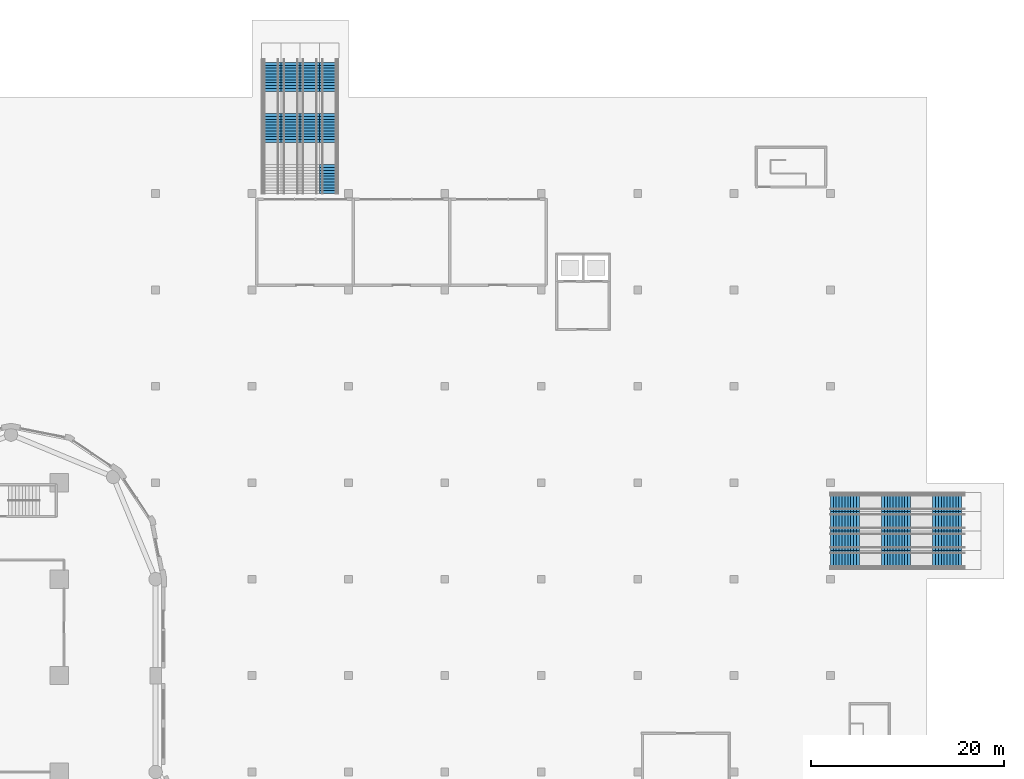
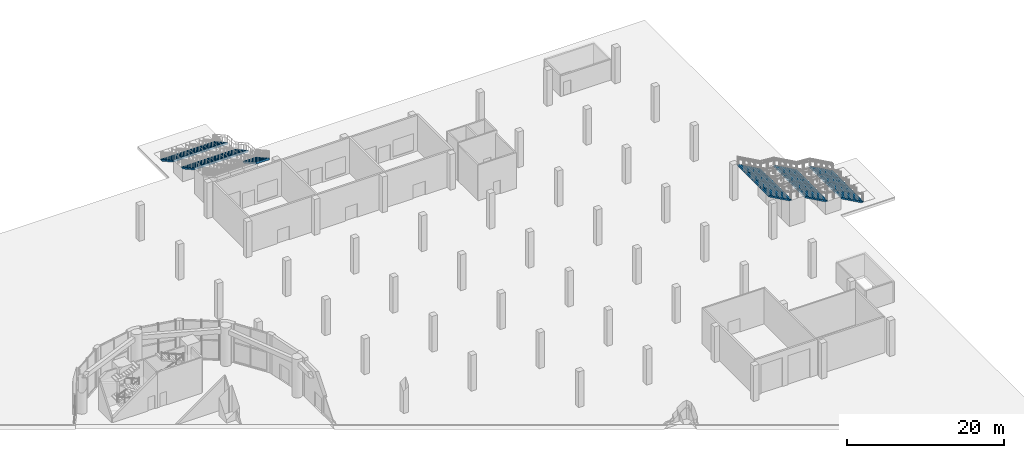
# One storey, part 15 of 21: 21 stair flights, 8 elements without a shape of their own.
"""IFC4 building model written with IfcOpenShell, lengths in metres."""

from ifc_helpers import new_model, si_unit, direction, frame, origin, place, context, subcontext, project, spatial, polyline, outline, extrude, material, layer, layer_set, type_object, element, aggregate, save


model = new_model("IFC4")

# Units and contexts
model_context = context("Model", 3, precision=1e-05, world=origin(), true_north=direction((0.0, 1.0)))
body_context = subcontext(model_context, "Body", "Model", "MODEL_VIEW")
ifc_project = project(units=[si_unit("LENGTHUNIT", "METRE"), si_unit("AREAUNIT", "SQUARE_METRE"), si_unit("VOLUMEUNIT", "CUBIC_METRE"), si_unit("PLANEANGLEUNIT", "RADIAN"), si_unit("MASSUNIT", "GRAM", prefix="KILO")], contexts=[model_context])

# Site, building, storey
site_placement = place(None, origin())
site = spatial("IfcSite", under=ifc_project, at=site_placement, CompositionType="ELEMENT")
building_placement = place(site_placement, origin())
building = spatial("IfcBuilding", under=site, at=building_placement, Name="Qaws Garden Tower", CompositionType="ELEMENT")
storey_placement = place(building_placement, origin())
storey = spatial("IfcBuildingStorey", under=building, at=storey_placement, Name="L00", CompositionType="ELEMENT", Elevation=0.0)

# Stair, stair flights
ifc_material_1 = material(Name="Concrete C40", Category="concrete")
stair_type = type_object("IfcStairType", Name="Garden stair 2000", PredefinedType="STRAIGHT_RUN_STAIR", material=ifc_material_1)
placement = place(storey_placement, origin())
stair_1 = element("IfcStair", 1, at=placement, inside=storey, type_object=stair_type, Name="Street stair n1", PredefinedType="STRAIGHT_RUN_STAIR")
ifc_material_2 = material(Name="Concrete C40", Category="concrete")
ifc_layer = layer(ifc_material_2, 0.14990234375)
ifc_layer_set = layer_set([ifc_layer], Name="Concrete C40")
stair_flight_type = type_object("IfcStairFlightType", Name="Stair flight concrete", PredefinedType="STRAIGHT", material=ifc_layer_set)
stair_flight_1_placement = place(storey_placement, frame((48.0, 103.300048828125, 4.0), z_axis=(0.0, 0.0, 1.0), x_axis=(0.0, -1.0, 0.0)))
stair_flight_1 = element("IfcStairFlight", 2, at=stair_flight_1_placement, type_object=stair_flight_type, Name="PST3 flight 1", NumberOfRisers=12, NumberOfTreads=11, PredefinedType="STRAIGHT", RiserHeight=0.166666667, TreadLength=0.3, context=body_context, shape_type="SweptSolid", body=[
    extrude(outline(polyline([(-0.0029296875, 0.0), (-0.0029296875, 0.166748046875), (0.0, 0.166748046875), (0.300048828125, 0.166748046875), (0.300048828125, 0.333251953125), (0.60009765625, 0.333251953125), (0.60009765625, 0.5), (0.89990234375, 0.5), (0.89990234375, 0.666748046875), (1.199951171875, 0.666748046875), (1.199951171875, 0.833251953125), (1.5, 0.833251953125), (1.5, 1.0), (1.800048828125, 1.0), (1.800048828125, 1.166748046875), (2.10009765625, 1.166748046875), (2.10009765625, 1.333251953125), (2.39990234375, 1.333251953125), (2.39990234375, 1.5), (2.699951171875, 1.5), (2.699951171875, 1.666748046875), (3.0, 1.666748046875), (3.0, 1.833251953125), (3.300048828125, 1.833251953125), (3.300048828125, 2.0), (3.302978515625, 2.0), (3.302978515625, 1.661865234375), (3.300048828125, 1.661865234375), (0.30859375, 0.0), (-0.0029296875, 0.0)])), frame((0.0, 1.0, 0.0), z_axis=(0.0, -1.0, 0.0), x_axis=(1.0, 0.0, 0.0)), (0.0, 0.0, 1.0), 2.0),
])
stair_flight_2_placement = place(storey_placement, frame((48.0, 108.60009765625, 2.0), z_axis=(0.0, 0.0, 1.0), x_axis=(0.0, -1.0, 0.0)))
stair_flight_2 = element("IfcStairFlight", 3, at=stair_flight_2_placement, type_object=stair_flight_type, Name="PST3 flight 2", NumberOfRisers=12, NumberOfTreads=11, PredefinedType="STRAIGHT", RiserHeight=0.166666667, TreadLength=0.3, context=body_context, shape_type="SweptSolid", body=[
    extrude(outline(polyline([(-0.0029296875, 0.0), (-0.0029296875, 0.166748046875), (0.0, 0.166748046875), (0.300048828125, 0.166748046875), (0.300048828125, 0.333251953125), (0.60009765625, 0.333251953125), (0.60009765625, 0.5), (0.89990234375, 0.5), (0.89990234375, 0.666748046875), (1.199951171875, 0.666748046875), (1.199951171875, 0.833251953125), (1.5, 0.833251953125), (1.5, 1.0), (1.800048828125, 1.0), (1.800048828125, 1.166748046875), (2.10009765625, 1.166748046875), (2.10009765625, 1.333251953125), (2.39990234375, 1.333251953125), (2.39990234375, 1.5), (2.699951171875, 1.5), (2.699951171875, 1.666748046875), (3.0, 1.666748046875), (3.0, 1.833251953125), (3.300048828125, 1.833251953125), (3.300048828125, 2.0), (3.302978515625, 2.0), (3.302978515625, 1.661865234375), (3.300048828125, 1.661865234375), (0.30859375, 0.0), (-0.0029296875, 0.0)])), frame((0.0, 1.0, 0.0), z_axis=(0.0, -1.0, 0.0), x_axis=(1.0, 0.0, 0.0)), (0.0, 0.0, 1.0), 2.0),
])
stair_flight_3_placement = place(storey_placement, frame((48.0, 113.89990234375, 0.0), z_axis=(0.0, 0.0, 1.0), x_axis=(0.0, -1.0, 0.0)))
stair_flight_3 = element("IfcStairFlight", 4, at=stair_flight_3_placement, type_object=stair_flight_type, Name="PST3 flight 3", NumberOfRisers=12, NumberOfTreads=11, PredefinedType="STRAIGHT", RiserHeight=0.166666667, TreadLength=0.3, context=body_context, shape_type="SweptSolid", body=[
    extrude(outline(polyline([(-0.0029296875, 0.0), (-0.0029296875, 0.166748046875), (0.0, 0.166748046875), (0.300048828125, 0.166748046875), (0.300048828125, 0.333251953125), (0.60009765625, 0.333251953125), (0.60009765625, 0.5), (0.89990234375, 0.5), (0.89990234375, 0.666748046875), (1.199951171875, 0.666748046875), (1.199951171875, 0.833251953125), (1.5, 0.833251953125), (1.5, 1.0), (1.800048828125, 1.0), (1.800048828125, 1.166748046875), (2.10009765625, 1.166748046875), (2.10009765625, 1.333251953125), (2.39990234375, 1.333251953125), (2.39990234375, 1.5), (2.699951171875, 1.5), (2.699951171875, 1.666748046875), (3.0, 1.666748046875), (3.0, 1.833251953125), (3.300048828125, 1.833251953125), (3.300048828125, 2.0), (3.302978515625, 2.0), (3.302978515625, 1.661865234375), (3.300048828125, 1.661865234375), (0.30859375, 0.0), (-0.0029296875, 0.0)])), frame((0.0, 1.0, 0.0), z_axis=(0.0, -1.0, 0.0), x_axis=(1.0, 0.0, 0.0)), (0.0, 0.0, 1.0), 2.0),
])
aggregate(stair_1, [stair_flight_1, stair_flight_2, stair_flight_3])

stair_2 = element("IfcStair", 5, at=placement, inside=storey, type_object=stair_type, Name="Street stair n2", PredefinedType="STRAIGHT_RUN_STAIR")
stair_flight_4_placement = place(storey_placement, frame((46.0, 108.60009765625, 2.0), z_axis=(0.0, 0.0, 1.0), x_axis=(0.0, -1.0, 0.0)))
stair_flight_4 = element("IfcStairFlight", 6, at=stair_flight_4_placement, type_object=stair_flight_type, Name="PST3 flight 2", NumberOfRisers=12, NumberOfTreads=11, PredefinedType="STRAIGHT", RiserHeight=0.166666667, TreadLength=0.3, context=body_context, shape_type="SweptSolid", body=[
    extrude(outline(polyline([(-0.0029296875, 0.0), (-0.0029296875, 0.166748046875), (0.0, 0.166748046875), (0.300048828125, 0.166748046875), (0.300048828125, 0.333251953125), (0.60009765625, 0.333251953125), (0.60009765625, 0.5), (0.89990234375, 0.5), (0.89990234375, 0.666748046875), (1.199951171875, 0.666748046875), (1.199951171875, 0.833251953125), (1.5, 0.833251953125), (1.5, 1.0), (1.800048828125, 1.0), (1.800048828125, 1.166748046875), (2.10009765625, 1.166748046875), (2.10009765625, 1.333251953125), (2.39990234375, 1.333251953125), (2.39990234375, 1.5), (2.699951171875, 1.5), (2.699951171875, 1.666748046875), (3.0, 1.666748046875), (3.0, 1.833251953125), (3.300048828125, 1.833251953125), (3.300048828125, 2.0), (3.302978515625, 2.0), (3.302978515625, 1.661865234375), (3.300048828125, 1.661865234375), (0.30859375, 0.0), (-0.0029296875, 0.0)])), frame((0.0, 1.0, 0.0), z_axis=(0.0, -1.0, 0.0), x_axis=(1.0, 0.0, 0.0)), (0.0, 0.0, 1.0), 2.0),
])
stair_flight_5_placement = place(storey_placement, frame((46.0, 113.89990234375, 0.0), z_axis=(0.0, 0.0, 1.0), x_axis=(0.0, -1.0, 0.0)))
stair_flight_5 = element("IfcStairFlight", 7, at=stair_flight_5_placement, type_object=stair_flight_type, Name="PST3 flight 3", NumberOfRisers=12, NumberOfTreads=11, PredefinedType="STRAIGHT", RiserHeight=0.166666667, TreadLength=0.3, context=body_context, shape_type="SweptSolid", body=[
    extrude(outline(polyline([(-0.0029296875, 0.0), (-0.0029296875, 0.166748046875), (0.0, 0.166748046875), (0.300048828125, 0.166748046875), (0.300048828125, 0.333251953125), (0.60009765625, 0.333251953125), (0.60009765625, 0.5), (0.89990234375, 0.5), (0.89990234375, 0.666748046875), (1.199951171875, 0.666748046875), (1.199951171875, 0.833251953125), (1.5, 0.833251953125), (1.5, 1.0), (1.800048828125, 1.0), (1.800048828125, 1.166748046875), (2.10009765625, 1.166748046875), (2.10009765625, 1.333251953125), (2.39990234375, 1.333251953125), (2.39990234375, 1.5), (2.699951171875, 1.5), (2.699951171875, 1.666748046875), (3.0, 1.666748046875), (3.0, 1.833251953125), (3.300048828125, 1.833251953125), (3.300048828125, 2.0), (3.302978515625, 2.0), (3.302978515625, 1.661865234375), (3.300048828125, 1.661865234375), (0.30859375, 0.0), (-0.0029296875, 0.0)])), frame((0.0, 1.0, 0.0), z_axis=(0.0, -1.0, 0.0), x_axis=(1.0, 0.0, 0.0)), (0.0, 0.0, 1.0), 2.0),
])
aggregate(stair_2, [stair_flight_4, stair_flight_5])

stair_3 = element("IfcStair", 8, at=placement, inside=storey, type_object=stair_type, Name="Street stair n3", PredefinedType="STRAIGHT_RUN_STAIR")
stair_flight_6_placement = place(storey_placement, frame((44.0, 108.60009765625, 2.0), z_axis=(0.0, 0.0, 1.0), x_axis=(0.0, -1.0, 0.0)))
stair_flight_6 = element("IfcStairFlight", 9, at=stair_flight_6_placement, type_object=stair_flight_type, Name="PST3 flight 2", NumberOfRisers=12, NumberOfTreads=11, PredefinedType="STRAIGHT", RiserHeight=0.166666667, TreadLength=0.3, context=body_context, shape_type="SweptSolid", body=[
    extrude(outline(polyline([(-0.0029296875, 0.0), (-0.0029296875, 0.166748046875), (0.0, 0.166748046875), (0.300048828125, 0.166748046875), (0.300048828125, 0.333251953125), (0.60009765625, 0.333251953125), (0.60009765625, 0.5), (0.89990234375, 0.5), (0.89990234375, 0.666748046875), (1.199951171875, 0.666748046875), (1.199951171875, 0.833251953125), (1.5, 0.833251953125), (1.5, 1.0), (1.800048828125, 1.0), (1.800048828125, 1.166748046875), (2.10009765625, 1.166748046875), (2.10009765625, 1.333251953125), (2.39990234375, 1.333251953125), (2.39990234375, 1.5), (2.699951171875, 1.5), (2.699951171875, 1.666748046875), (3.0, 1.666748046875), (3.0, 1.833251953125), (3.300048828125, 1.833251953125), (3.300048828125, 2.0), (3.302978515625, 2.0), (3.302978515625, 1.661865234375), (3.300048828125, 1.661865234375), (0.30859375, 0.0), (-0.0029296875, 0.0)])), frame((0.0, 1.0, 0.0), z_axis=(0.0, -1.0, 0.0), x_axis=(1.0, 0.0, 0.0)), (0.0, 0.0, 1.0), 2.0),
])
stair_flight_7_placement = place(storey_placement, frame((44.0, 113.89990234375, 0.0), z_axis=(0.0, 0.0, 1.0), x_axis=(0.0, -1.0, 0.0)))
stair_flight_7 = element("IfcStairFlight", 10, at=stair_flight_7_placement, type_object=stair_flight_type, Name="PST3 flight 3", NumberOfRisers=12, NumberOfTreads=11, PredefinedType="STRAIGHT", RiserHeight=0.166666667, TreadLength=0.3, context=body_context, shape_type="SweptSolid", body=[
    extrude(outline(polyline([(-0.0029296875, 0.0), (-0.0029296875, 0.166748046875), (0.0, 0.166748046875), (0.300048828125, 0.166748046875), (0.300048828125, 0.333251953125), (0.60009765625, 0.333251953125), (0.60009765625, 0.5), (0.89990234375, 0.5), (0.89990234375, 0.666748046875), (1.199951171875, 0.666748046875), (1.199951171875, 0.833251953125), (1.5, 0.833251953125), (1.5, 1.0), (1.800048828125, 1.0), (1.800048828125, 1.166748046875), (2.10009765625, 1.166748046875), (2.10009765625, 1.333251953125), (2.39990234375, 1.333251953125), (2.39990234375, 1.5), (2.699951171875, 1.5), (2.699951171875, 1.666748046875), (3.0, 1.666748046875), (3.0, 1.833251953125), (3.300048828125, 1.833251953125), (3.300048828125, 2.0), (3.302978515625, 2.0), (3.302978515625, 1.661865234375), (3.300048828125, 1.661865234375), (0.30859375, 0.0), (-0.0029296875, 0.0)])), frame((0.0, 1.0, 0.0), z_axis=(0.0, -1.0, 0.0), x_axis=(1.0, 0.0, 0.0)), (0.0, 0.0, 1.0), 2.0),
])
aggregate(stair_3, [stair_flight_6, stair_flight_7])

stair_4 = element("IfcStair", 11, at=placement, inside=storey, type_object=stair_type, Name="Street stair n4", PredefinedType="STRAIGHT_RUN_STAIR")
stair_flight_8_placement = place(storey_placement, frame((42.0, 108.60009765625, 2.0), z_axis=(0.0, 0.0, 1.0), x_axis=(0.0, -1.0, 0.0)))
stair_flight_8 = element("IfcStairFlight", 12, at=stair_flight_8_placement, type_object=stair_flight_type, Name="PST3 flight 2", NumberOfRisers=12, NumberOfTreads=11, PredefinedType="STRAIGHT", RiserHeight=0.166666667, TreadLength=0.3, context=body_context, shape_type="SweptSolid", body=[
    extrude(outline(polyline([(-0.0029296875, 0.0), (-0.0029296875, 0.166748046875), (0.0, 0.166748046875), (0.300048828125, 0.166748046875), (0.300048828125, 0.333251953125), (0.60009765625, 0.333251953125), (0.60009765625, 0.5), (0.89990234375, 0.5), (0.89990234375, 0.666748046875), (1.199951171875, 0.666748046875), (1.199951171875, 0.833251953125), (1.5, 0.833251953125), (1.5, 1.0), (1.800048828125, 1.0), (1.800048828125, 1.166748046875), (2.10009765625, 1.166748046875), (2.10009765625, 1.333251953125), (2.39990234375, 1.333251953125), (2.39990234375, 1.5), (2.699951171875, 1.5), (2.699951171875, 1.666748046875), (3.0, 1.666748046875), (3.0, 1.833251953125), (3.300048828125, 1.833251953125), (3.300048828125, 2.0), (3.302978515625, 2.0), (3.302978515625, 1.661865234375), (3.300048828125, 1.661865234375), (0.30859375, 0.0), (-0.0029296875, 0.0)])), frame((0.0, 1.0, 0.0), z_axis=(0.0, -1.0, 0.0), x_axis=(1.0, 0.0, 0.0)), (0.0, 0.0, 1.0), 2.0),
])
stair_flight_9_placement = place(storey_placement, frame((42.0, 113.89990234375, 0.0), z_axis=(0.0, 0.0, 1.0), x_axis=(0.0, -1.0, 0.0)))
stair_flight_9 = element("IfcStairFlight", 13, at=stair_flight_9_placement, type_object=stair_flight_type, Name="PST3 flight 3", NumberOfRisers=12, NumberOfTreads=11, PredefinedType="STRAIGHT", RiserHeight=0.166666667, TreadLength=0.3, context=body_context, shape_type="SweptSolid", body=[
    extrude(outline(polyline([(-0.0029296875, 0.0), (-0.0029296875, 0.166748046875), (0.0, 0.166748046875), (0.300048828125, 0.166748046875), (0.300048828125, 0.333251953125), (0.60009765625, 0.333251953125), (0.60009765625, 0.5), (0.89990234375, 0.5), (0.89990234375, 0.666748046875), (1.199951171875, 0.666748046875), (1.199951171875, 0.833251953125), (1.5, 0.833251953125), (1.5, 1.0), (1.800048828125, 1.0), (1.800048828125, 1.166748046875), (2.10009765625, 1.166748046875), (2.10009765625, 1.333251953125), (2.39990234375, 1.333251953125), (2.39990234375, 1.5), (2.699951171875, 1.5), (2.699951171875, 1.666748046875), (3.0, 1.666748046875), (3.0, 1.833251953125), (3.300048828125, 1.833251953125), (3.300048828125, 2.0), (3.302978515625, 2.0), (3.302978515625, 1.661865234375), (3.300048828125, 1.661865234375), (0.30859375, 0.0), (-0.0029296875, 0.0)])), frame((0.0, 1.0, 0.0), z_axis=(0.0, -1.0, 0.0), x_axis=(1.0, 0.0, 0.0)), (0.0, 0.0, 1.0), 2.0),
])
aggregate(stair_4, [stair_flight_8, stair_flight_9])

stair_5 = element("IfcStair", 14, at=placement, inside=storey, type_object=stair_type, Name="Street stair e1", PredefinedType="STRAIGHT_RUN_STAIR")
stair_flight_10_placement = place(storey_placement, frame((103.300048828125, 62.0, 4.0), z_axis=(0.0, 0.0, 1.0), x_axis=(-1.0, 0.0, 0.0)))
stair_flight_10 = element("IfcStairFlight", 15, at=stair_flight_10_placement, type_object=stair_flight_type, Name="PST3 flight 1", NumberOfRisers=12, NumberOfTreads=11, PredefinedType="STRAIGHT", RiserHeight=0.166666667, TreadLength=0.3, context=body_context, shape_type="SweptSolid", body=[
    extrude(outline(polyline([(-0.0029296875, 0.0), (-0.0029296875, 0.166748046875), (0.0, 0.166748046875), (0.300048828125, 0.166748046875), (0.300048828125, 0.333251953125), (0.60009765625, 0.333251953125), (0.60009765625, 0.5), (0.89990234375, 0.5), (0.89990234375, 0.666748046875), (1.199951171875, 0.666748046875), (1.199951171875, 0.833251953125), (1.5, 0.833251953125), (1.5, 1.0), (1.800048828125, 1.0), (1.800048828125, 1.166748046875), (2.10009765625, 1.166748046875), (2.10009765625, 1.333251953125), (2.39990234375, 1.333251953125), (2.39990234375, 1.5), (2.699951171875, 1.5), (2.699951171875, 1.666748046875), (3.0, 1.666748046875), (3.0, 1.833251953125), (3.300048828125, 1.833251953125), (3.300048828125, 2.0), (3.302978515625, 2.0), (3.302978515625, 1.661865234375), (3.300048828125, 1.661865234375), (0.30859375, 0.0), (-0.0029296875, 0.0)])), frame((0.0, 1.0, 0.0), z_axis=(0.0, -1.0, 0.0), x_axis=(1.0, 0.0, 0.0)), (0.0, 0.0, 1.0), 2.0),
])
stair_flight_11_placement = place(storey_placement, frame((108.60009765625, 62.0, 2.0), z_axis=(0.0, 0.0, 1.0), x_axis=(-1.0, 0.0, 0.0)))
stair_flight_11 = element("IfcStairFlight", 16, at=stair_flight_11_placement, type_object=stair_flight_type, Name="PST3 flight 2", NumberOfRisers=12, NumberOfTreads=11, PredefinedType="STRAIGHT", RiserHeight=0.166666667, TreadLength=0.3, context=body_context, shape_type="SweptSolid", body=[
    extrude(outline(polyline([(-0.0029296875, 0.0), (-0.0029296875, 0.166748046875), (0.0, 0.166748046875), (0.300048828125, 0.166748046875), (0.300048828125, 0.333251953125), (0.60009765625, 0.333251953125), (0.60009765625, 0.5), (0.89990234375, 0.5), (0.89990234375, 0.666748046875), (1.199951171875, 0.666748046875), (1.199951171875, 0.833251953125), (1.5, 0.833251953125), (1.5, 1.0), (1.800048828125, 1.0), (1.800048828125, 1.166748046875), (2.10009765625, 1.166748046875), (2.10009765625, 1.333251953125), (2.39990234375, 1.333251953125), (2.39990234375, 1.5), (2.699951171875, 1.5), (2.699951171875, 1.666748046875), (3.0, 1.666748046875), (3.0, 1.833251953125), (3.300048828125, 1.833251953125), (3.300048828125, 2.0), (3.302978515625, 2.0), (3.302978515625, 1.661865234375), (3.300048828125, 1.661865234375), (0.30859375, 0.0), (-0.0029296875, 0.0)])), frame((0.0, 1.0, 0.0), z_axis=(0.0, -1.0, 0.0), x_axis=(1.0, 0.0, 0.0)), (0.0, 0.0, 1.0), 2.0),
])
stair_flight_12_placement = place(storey_placement, frame((113.89990234375, 62.0, 0.0), z_axis=(0.0, 0.0, 1.0), x_axis=(-1.0, 0.0, 0.0)))
stair_flight_12 = element("IfcStairFlight", 17, at=stair_flight_12_placement, type_object=stair_flight_type, Name="PST3 flight 3", NumberOfRisers=12, NumberOfTreads=11, PredefinedType="STRAIGHT", RiserHeight=0.166666667, TreadLength=0.3, context=body_context, shape_type="SweptSolid", body=[
    extrude(outline(polyline([(-0.0029296875, 0.0), (-0.0029296875, 0.166748046875), (0.0, 0.166748046875), (0.300048828125, 0.166748046875), (0.300048828125, 0.333251953125), (0.60009765625, 0.333251953125), (0.60009765625, 0.5), (0.89990234375, 0.5), (0.89990234375, 0.666748046875), (1.199951171875, 0.666748046875), (1.199951171875, 0.833251953125), (1.5, 0.833251953125), (1.5, 1.0), (1.800048828125, 1.0), (1.800048828125, 1.166748046875), (2.10009765625, 1.166748046875), (2.10009765625, 1.333251953125), (2.39990234375, 1.333251953125), (2.39990234375, 1.5), (2.699951171875, 1.5), (2.699951171875, 1.666748046875), (3.0, 1.666748046875), (3.0, 1.833251953125), (3.300048828125, 1.833251953125), (3.300048828125, 2.0), (3.302978515625, 2.0), (3.302978515625, 1.661865234375), (3.300048828125, 1.661865234375), (0.30859375, 0.0), (-0.0029296875, 0.0)])), frame((0.0, 1.0, 0.0), z_axis=(0.0, -1.0, 0.0), x_axis=(1.0, 0.0, 0.0)), (0.0, 0.0, 1.0), 2.0),
])
aggregate(stair_5, [stair_flight_10, stair_flight_11, stair_flight_12])

stair_6 = element("IfcStair", 18, at=placement, inside=storey, type_object=stair_type, Name="Street stair e2", PredefinedType="STRAIGHT_RUN_STAIR")
stair_flight_13_placement = place(storey_placement, frame((103.300048828125, 64.0, 4.0), z_axis=(0.0, 0.0, 1.0), x_axis=(-1.0, 0.0, 0.0)))
stair_flight_13 = element("IfcStairFlight", 19, at=stair_flight_13_placement, type_object=stair_flight_type, Name="PST3 flight 1", NumberOfRisers=12, NumberOfTreads=11, PredefinedType="STRAIGHT", RiserHeight=0.166666667, TreadLength=0.3, context=body_context, shape_type="SweptSolid", body=[
    extrude(outline(polyline([(-0.0029296875, 0.0), (-0.0029296875, 0.166748046875), (0.0, 0.166748046875), (0.300048828125, 0.166748046875), (0.300048828125, 0.333251953125), (0.60009765625, 0.333251953125), (0.60009765625, 0.5), (0.89990234375, 0.5), (0.89990234375, 0.666748046875), (1.199951171875, 0.666748046875), (1.199951171875, 0.833251953125), (1.5, 0.833251953125), (1.5, 1.0), (1.800048828125, 1.0), (1.800048828125, 1.166748046875), (2.10009765625, 1.166748046875), (2.10009765625, 1.333251953125), (2.39990234375, 1.333251953125), (2.39990234375, 1.5), (2.699951171875, 1.5), (2.699951171875, 1.666748046875), (3.0, 1.666748046875), (3.0, 1.833251953125), (3.300048828125, 1.833251953125), (3.300048828125, 2.0), (3.302978515625, 2.0), (3.302978515625, 1.661865234375), (3.300048828125, 1.661865234375), (0.30859375, 0.0), (-0.0029296875, 0.0)])), frame((0.0, 1.0, 0.0), z_axis=(0.0, -1.0, 0.0), x_axis=(1.0, 0.0, 0.0)), (0.0, 0.0, 1.0), 2.0),
])
stair_flight_14_placement = place(storey_placement, frame((108.60009765625, 64.0, 2.0), z_axis=(0.0, 0.0, 1.0), x_axis=(-1.0, 0.0, 0.0)))
stair_flight_14 = element("IfcStairFlight", 20, at=stair_flight_14_placement, type_object=stair_flight_type, Name="PST3 flight 2", NumberOfRisers=12, NumberOfTreads=11, PredefinedType="STRAIGHT", RiserHeight=0.166666667, TreadLength=0.3, context=body_context, shape_type="SweptSolid", body=[
    extrude(outline(polyline([(-0.0029296875, 0.0), (-0.0029296875, 0.166748046875), (0.0, 0.166748046875), (0.300048828125, 0.166748046875), (0.300048828125, 0.333251953125), (0.60009765625, 0.333251953125), (0.60009765625, 0.5), (0.89990234375, 0.5), (0.89990234375, 0.666748046875), (1.199951171875, 0.666748046875), (1.199951171875, 0.833251953125), (1.5, 0.833251953125), (1.5, 1.0), (1.800048828125, 1.0), (1.800048828125, 1.166748046875), (2.10009765625, 1.166748046875), (2.10009765625, 1.333251953125), (2.39990234375, 1.333251953125), (2.39990234375, 1.5), (2.699951171875, 1.5), (2.699951171875, 1.666748046875), (3.0, 1.666748046875), (3.0, 1.833251953125), (3.300048828125, 1.833251953125), (3.300048828125, 2.0), (3.302978515625, 2.0), (3.302978515625, 1.661865234375), (3.300048828125, 1.661865234375), (0.30859375, 0.0), (-0.0029296875, 0.0)])), frame((0.0, 1.0, 0.0), z_axis=(0.0, -1.0, 0.0), x_axis=(1.0, 0.0, 0.0)), (0.0, 0.0, 1.0), 2.0),
])
stair_flight_15_placement = place(storey_placement, frame((113.89990234375, 64.0, 0.0), z_axis=(0.0, 0.0, 1.0), x_axis=(-1.0, 0.0, 0.0)))
stair_flight_15 = element("IfcStairFlight", 21, at=stair_flight_15_placement, type_object=stair_flight_type, Name="PST3 flight 3", NumberOfRisers=12, NumberOfTreads=11, PredefinedType="STRAIGHT", RiserHeight=0.166666667, TreadLength=0.3, context=body_context, shape_type="SweptSolid", body=[
    extrude(outline(polyline([(-0.0029296875, 0.0), (-0.0029296875, 0.166748046875), (0.0, 0.166748046875), (0.300048828125, 0.166748046875), (0.300048828125, 0.333251953125), (0.60009765625, 0.333251953125), (0.60009765625, 0.5), (0.89990234375, 0.5), (0.89990234375, 0.666748046875), (1.199951171875, 0.666748046875), (1.199951171875, 0.833251953125), (1.5, 0.833251953125), (1.5, 1.0), (1.800048828125, 1.0), (1.800048828125, 1.166748046875), (2.10009765625, 1.166748046875), (2.10009765625, 1.333251953125), (2.39990234375, 1.333251953125), (2.39990234375, 1.5), (2.699951171875, 1.5), (2.699951171875, 1.666748046875), (3.0, 1.666748046875), (3.0, 1.833251953125), (3.300048828125, 1.833251953125), (3.300048828125, 2.0), (3.302978515625, 2.0), (3.302978515625, 1.661865234375), (3.300048828125, 1.661865234375), (0.30859375, 0.0), (-0.0029296875, 0.0)])), frame((0.0, 1.0, 0.0), z_axis=(0.0, -1.0, 0.0), x_axis=(1.0, 0.0, 0.0)), (0.0, 0.0, 1.0), 2.0),
])
aggregate(stair_6, [stair_flight_13, stair_flight_14, stair_flight_15])

stair_7 = element("IfcStair", 22, at=placement, inside=storey, type_object=stair_type, Name="Street stair e3", PredefinedType="STRAIGHT_RUN_STAIR")
stair_flight_16_placement = place(storey_placement, frame((103.300048828125, 66.0, 4.0), z_axis=(0.0, 0.0, 1.0), x_axis=(-1.0, 0.0, 0.0)))
stair_flight_16 = element("IfcStairFlight", 23, at=stair_flight_16_placement, type_object=stair_flight_type, Name="PST3 flight 1", NumberOfRisers=12, NumberOfTreads=11, PredefinedType="STRAIGHT", RiserHeight=0.166666667, TreadLength=0.3, context=body_context, shape_type="SweptSolid", body=[
    extrude(outline(polyline([(-0.0029296875, 0.0), (-0.0029296875, 0.166748046875), (0.0, 0.166748046875), (0.300048828125, 0.166748046875), (0.300048828125, 0.333251953125), (0.60009765625, 0.333251953125), (0.60009765625, 0.5), (0.89990234375, 0.5), (0.89990234375, 0.666748046875), (1.199951171875, 0.666748046875), (1.199951171875, 0.833251953125), (1.5, 0.833251953125), (1.5, 1.0), (1.800048828125, 1.0), (1.800048828125, 1.166748046875), (2.10009765625, 1.166748046875), (2.10009765625, 1.333251953125), (2.39990234375, 1.333251953125), (2.39990234375, 1.5), (2.699951171875, 1.5), (2.699951171875, 1.666748046875), (3.0, 1.666748046875), (3.0, 1.833251953125), (3.300048828125, 1.833251953125), (3.300048828125, 2.0), (3.302978515625, 2.0), (3.302978515625, 1.661865234375), (3.300048828125, 1.661865234375), (0.30859375, 0.0), (-0.0029296875, 0.0)])), frame((0.0, 1.0, 0.0), z_axis=(0.0, -1.0, 0.0), x_axis=(1.0, 0.0, 0.0)), (0.0, 0.0, 1.0), 2.0),
])
stair_flight_17_placement = place(storey_placement, frame((108.60009765625, 66.0, 2.0), z_axis=(0.0, 0.0, 1.0), x_axis=(-1.0, 0.0, 0.0)))
stair_flight_17 = element("IfcStairFlight", 24, at=stair_flight_17_placement, type_object=stair_flight_type, Name="PST3 flight 2", NumberOfRisers=12, NumberOfTreads=11, PredefinedType="STRAIGHT", RiserHeight=0.166666667, TreadLength=0.3, context=body_context, shape_type="SweptSolid", body=[
    extrude(outline(polyline([(-0.0029296875, 0.0), (-0.0029296875, 0.166748046875), (0.0, 0.166748046875), (0.300048828125, 0.166748046875), (0.300048828125, 0.333251953125), (0.60009765625, 0.333251953125), (0.60009765625, 0.5), (0.89990234375, 0.5), (0.89990234375, 0.666748046875), (1.199951171875, 0.666748046875), (1.199951171875, 0.833251953125), (1.5, 0.833251953125), (1.5, 1.0), (1.800048828125, 1.0), (1.800048828125, 1.166748046875), (2.10009765625, 1.166748046875), (2.10009765625, 1.333251953125), (2.39990234375, 1.333251953125), (2.39990234375, 1.5), (2.699951171875, 1.5), (2.699951171875, 1.666748046875), (3.0, 1.666748046875), (3.0, 1.833251953125), (3.300048828125, 1.833251953125), (3.300048828125, 2.0), (3.302978515625, 2.0), (3.302978515625, 1.661865234375), (3.300048828125, 1.661865234375), (0.30859375, 0.0), (-0.0029296875, 0.0)])), frame((0.0, 1.0, 0.0), z_axis=(0.0, -1.0, 0.0), x_axis=(1.0, 0.0, 0.0)), (0.0, 0.0, 1.0), 2.0),
])
stair_flight_18_placement = place(storey_placement, frame((113.89990234375, 66.0, 0.0), z_axis=(0.0, 0.0, 1.0), x_axis=(-1.0, 0.0, 0.0)))
stair_flight_18 = element("IfcStairFlight", 25, at=stair_flight_18_placement, type_object=stair_flight_type, Name="PST3 flight 3", NumberOfRisers=12, NumberOfTreads=11, PredefinedType="STRAIGHT", RiserHeight=0.166666667, TreadLength=0.3, context=body_context, shape_type="SweptSolid", body=[
    extrude(outline(polyline([(-0.0029296875, 0.0), (-0.0029296875, 0.166748046875), (0.0, 0.166748046875), (0.300048828125, 0.166748046875), (0.300048828125, 0.333251953125), (0.60009765625, 0.333251953125), (0.60009765625, 0.5), (0.89990234375, 0.5), (0.89990234375, 0.666748046875), (1.199951171875, 0.666748046875), (1.199951171875, 0.833251953125), (1.5, 0.833251953125), (1.5, 1.0), (1.800048828125, 1.0), (1.800048828125, 1.166748046875), (2.10009765625, 1.166748046875), (2.10009765625, 1.333251953125), (2.39990234375, 1.333251953125), (2.39990234375, 1.5), (2.699951171875, 1.5), (2.699951171875, 1.666748046875), (3.0, 1.666748046875), (3.0, 1.833251953125), (3.300048828125, 1.833251953125), (3.300048828125, 2.0), (3.302978515625, 2.0), (3.302978515625, 1.661865234375), (3.300048828125, 1.661865234375), (0.30859375, 0.0), (-0.0029296875, 0.0)])), frame((0.0, 1.0, 0.0), z_axis=(0.0, -1.0, 0.0), x_axis=(1.0, 0.0, 0.0)), (0.0, 0.0, 1.0), 2.0),
])
aggregate(stair_7, [stair_flight_16, stair_flight_17, stair_flight_18])

stair_8 = element("IfcStair", 26, at=placement, inside=storey, type_object=stair_type, Name="Street stair e4", PredefinedType="STRAIGHT_RUN_STAIR")
stair_flight_19_placement = place(storey_placement, frame((103.300048828125, 68.0, 4.0), z_axis=(0.0, 0.0, 1.0), x_axis=(-1.0, 0.0, 0.0)))
stair_flight_19 = element("IfcStairFlight", 27, at=stair_flight_19_placement, type_object=stair_flight_type, Name="PST3 flight 1", NumberOfRisers=12, NumberOfTreads=11, PredefinedType="STRAIGHT", RiserHeight=0.166666667, TreadLength=0.3, context=body_context, shape_type="SweptSolid", body=[
    extrude(outline(polyline([(-0.0029296875, 0.0), (-0.0029296875, 0.166748046875), (0.0, 0.166748046875), (0.300048828125, 0.166748046875), (0.300048828125, 0.333251953125), (0.60009765625, 0.333251953125), (0.60009765625, 0.5), (0.89990234375, 0.5), (0.89990234375, 0.666748046875), (1.199951171875, 0.666748046875), (1.199951171875, 0.833251953125), (1.5, 0.833251953125), (1.5, 1.0), (1.800048828125, 1.0), (1.800048828125, 1.166748046875), (2.10009765625, 1.166748046875), (2.10009765625, 1.333251953125), (2.39990234375, 1.333251953125), (2.39990234375, 1.5), (2.699951171875, 1.5), (2.699951171875, 1.666748046875), (3.0, 1.666748046875), (3.0, 1.833251953125), (3.300048828125, 1.833251953125), (3.300048828125, 2.0), (3.302978515625, 2.0), (3.302978515625, 1.661865234375), (3.300048828125, 1.661865234375), (0.30859375, 0.0), (-0.0029296875, 0.0)])), frame((0.0, 1.0, 0.0), z_axis=(0.0, -1.0, 0.0), x_axis=(1.0, 0.0, 0.0)), (0.0, 0.0, 1.0), 2.0),
])
stair_flight_20_placement = place(storey_placement, frame((108.60009765625, 68.0, 2.0), z_axis=(0.0, 0.0, 1.0), x_axis=(-1.0, 0.0, 0.0)))
stair_flight_20 = element("IfcStairFlight", 28, at=stair_flight_20_placement, type_object=stair_flight_type, Name="PST3 flight 2", NumberOfRisers=12, NumberOfTreads=11, PredefinedType="STRAIGHT", RiserHeight=0.166666667, TreadLength=0.3, context=body_context, shape_type="SweptSolid", body=[
    extrude(outline(polyline([(-0.0029296875, 0.0), (-0.0029296875, 0.166748046875), (0.0, 0.166748046875), (0.300048828125, 0.166748046875), (0.300048828125, 0.333251953125), (0.60009765625, 0.333251953125), (0.60009765625, 0.5), (0.89990234375, 0.5), (0.89990234375, 0.666748046875), (1.199951171875, 0.666748046875), (1.199951171875, 0.833251953125), (1.5, 0.833251953125), (1.5, 1.0), (1.800048828125, 1.0), (1.800048828125, 1.166748046875), (2.10009765625, 1.166748046875), (2.10009765625, 1.333251953125), (2.39990234375, 1.333251953125), (2.39990234375, 1.5), (2.699951171875, 1.5), (2.699951171875, 1.666748046875), (3.0, 1.666748046875), (3.0, 1.833251953125), (3.300048828125, 1.833251953125), (3.300048828125, 2.0), (3.302978515625, 2.0), (3.302978515625, 1.661865234375), (3.300048828125, 1.661865234375), (0.30859375, 0.0), (-0.0029296875, 0.0)])), frame((0.0, 1.0, 0.0), z_axis=(0.0, -1.0, 0.0), x_axis=(1.0, 0.0, 0.0)), (0.0, 0.0, 1.0), 2.0),
])
stair_flight_21_placement = place(storey_placement, frame((113.89990234375, 68.0, 0.0), z_axis=(0.0, 0.0, 1.0), x_axis=(-1.0, 0.0, 0.0)))
stair_flight_21 = element("IfcStairFlight", 29, at=stair_flight_21_placement, type_object=stair_flight_type, Name="PST3 flight 3", NumberOfRisers=12, NumberOfTreads=11, PredefinedType="STRAIGHT", RiserHeight=0.166666667, TreadLength=0.3, context=body_context, shape_type="SweptSolid", body=[
    extrude(outline(polyline([(-0.0029296875, 0.0), (-0.0029296875, 0.166748046875), (0.0, 0.166748046875), (0.300048828125, 0.166748046875), (0.300048828125, 0.333251953125), (0.60009765625, 0.333251953125), (0.60009765625, 0.5), (0.89990234375, 0.5), (0.89990234375, 0.666748046875), (1.199951171875, 0.666748046875), (1.199951171875, 0.833251953125), (1.5, 0.833251953125), (1.5, 1.0), (1.800048828125, 1.0), (1.800048828125, 1.166748046875), (2.10009765625, 1.166748046875), (2.10009765625, 1.333251953125), (2.39990234375, 1.333251953125), (2.39990234375, 1.5), (2.699951171875, 1.5), (2.699951171875, 1.666748046875), (3.0, 1.666748046875), (3.0, 1.833251953125), (3.300048828125, 1.833251953125), (3.300048828125, 2.0), (3.302978515625, 2.0), (3.302978515625, 1.661865234375), (3.300048828125, 1.661865234375), (0.30859375, 0.0), (-0.0029296875, 0.0)])), frame((0.0, 1.0, 0.0), z_axis=(0.0, -1.0, 0.0), x_axis=(1.0, 0.0, 0.0)), (0.0, 0.0, 1.0), 2.0),
])
aggregate(stair_8, [stair_flight_19, stair_flight_20, stair_flight_21])

save(model, "model.ifc")
